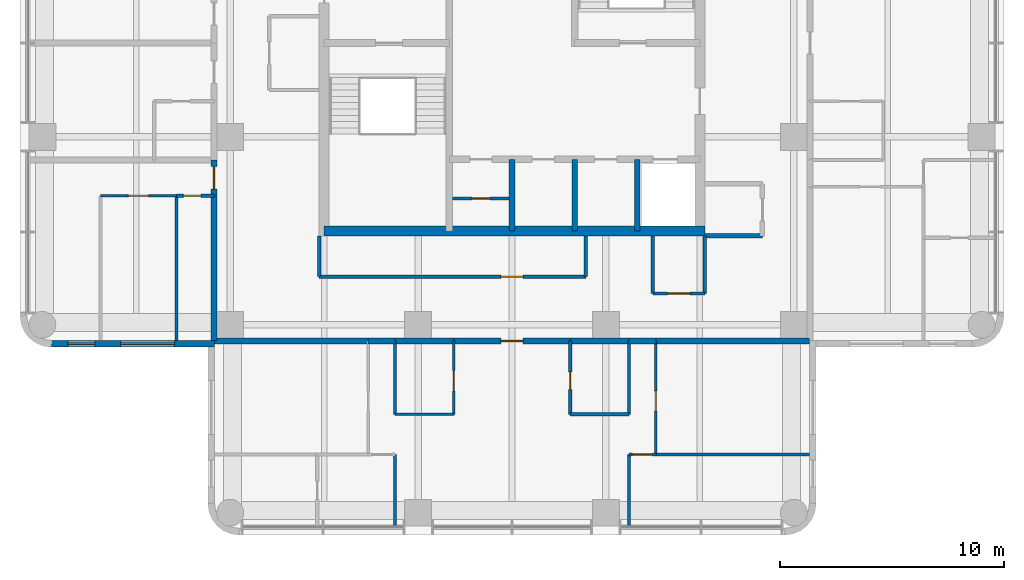
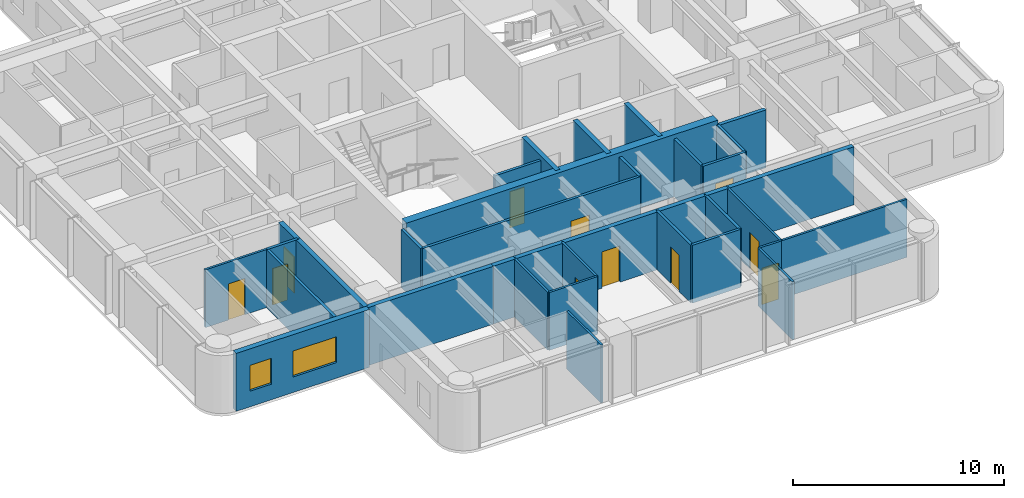
# One storey, part 4 of 10: 36 walls, 11 doors, 2 windows, 13 openings.
"""IFC4 building model written with IfcOpenShell, lengths in metres."""

from ifc_helpers import new_model, si_unit, direction, frame, frame_2d, origin, place, context, subcontext, project, spatial, rectangle, extrude, material, layer, layer_set, type_object, element, fill, save


model = new_model("IFC4")

# Units and contexts
model_context = context("Model", 3, precision=1e-05, world=origin(), true_north=direction((0.0, 1.0)))
body_context = subcontext(model_context, "Body", "Model", "MODEL_VIEW")
ifc_project = project(units=[si_unit("LENGTHUNIT", "METRE"), si_unit("AREAUNIT", "SQUARE_METRE"), si_unit("VOLUMEUNIT", "CUBIC_METRE"), si_unit("PLANEANGLEUNIT", "RADIAN"), si_unit("MASSUNIT", "GRAM", prefix="KILO")], contexts=[model_context])

# Site, building, storey
site_placement = place(None, origin())
site = spatial("IfcSite", under=ifc_project, at=site_placement, CompositionType="ELEMENT")
building_placement = place(site_placement, origin())
building = spatial("IfcBuilding", under=site, at=building_placement, Name="Torre Alcanfor", CompositionType="ELEMENT")
storey_placement = place(building_placement, frame((0.0, 0.0, 297.300048828125)))
storey = spatial("IfcBuildingStorey", under=building, at=storey_placement, Name="L78", CompositionType="ELEMENT", Elevation=297.300048828125)

# Wall, opening, door
ifc_material_1 = material(Name="Concrete block masonry, hollow blocks NMX-C-404 9 MPa", Category="masonry")
ifc_layer_1 = layer(ifc_material_1, 0.25)
ifc_layer_set_1 = layer_set([ifc_layer_1], Name="Apartment entrance wall 250 EI 60")
wall_type_1 = type_object("IfcWallType", Name="Apartment entrance wall 250 EI 60", PredefinedType="PARTITIONING", material=ifc_layer_set_1)
wall_1_placement = place(storey_placement, frame((32.0, 16.074951171875, 0.0), z_axis=(0.0, 0.0, 1.0), x_axis=(-1.0, 0.0, 0.0)))
wall_1 = element("IfcWall", 1, at=wall_1_placement, inside=storey, type_object=wall_type_1, Name="Partition L78-CORR / L78-SX-ZAG", PredefinedType="PARTITIONING", context=body_context, shape_type="SweptSolid", body=[
    extrude(rectangle(XDim=5.199951171875, YDim=0.25, at=frame_2d((2.60009765625, 0.0))), origin(), (0.0, 0.0, 1.0), 3.349853515625),
])
opening_1_placement = place(wall_1_placement, frame((2.10009765625, 0.0, 0.0)))
opening_1 = element("IfcOpeningElement", 2, at=opening_1_placement, cuts=wall_1, Name="Opening D-A1", PredefinedType="OPENING", context=body_context, shape_type="SweptSolid", body=[
    extrude(rectangle(XDim=1.0, YDim=2.10009765625, at=frame_2d((0.5, 1.050048828125))), frame((0.0, 0.135009765625, 0.0), z_axis=(0.0, -1.0, 0.0), x_axis=(1.0, 0.0, 0.0)), (0.0, 0.0, 1.0), 0.27001953125),
])
ifc_material_2 = material(Name="Galvanised steel sheet ASTM A653", Category="steel")
door_type_1 = type_object("IfcDoorType", Name="Apartment entrance door FD60 1000x2100", OperationType="SINGLE_SWING_LEFT", PredefinedType="DOOR", material=ifc_material_2)
door_1_placement = place(opening_1_placement, origin())
door_1 = element("IfcDoor", 3, at=door_1_placement, inside=storey, type_object=door_type_1, Name="Apartment entrance L78-SX", OperationType="SINGLE_SWING_LEFT", OverallHeight=2.10009765625, OverallWidth=1.0, PredefinedType="DOOR", context=body_context, shape_type="SweptSolid", body=[
    extrude(rectangle(XDim=1.0, YDim=2.10009765625, at=frame_2d((0.5, 1.050048828125))), frame((0.0, 0.02490234375, 0.0), z_axis=(0.0, -1.0, 0.0), x_axis=(1.0, 0.0, 0.0)), (0.0, 0.0, 1.0), 0.050048828125),
])
fill(opening_1, door_1)

# Walls
wall_2_placement = place(storey_placement, frame((34.62890625, 16.074951171875, 0.0), z_axis=(0.0, 0.0, 1.0), x_axis=(-1.0, 0.0, 0.0)))
element("IfcWall", 4, at=wall_2_placement, inside=storey, type_object=wall_type_1, Name="Partition L78-CORR / L78-SX-BATH2", PredefinedType="PARTITIONING", context=body_context, shape_type="SweptSolid", body=[
    extrude(rectangle(XDim=2.62890625, YDim=0.25, at=frame_2d((1.314453125, 0.0))), origin(), (0.0, 0.0, 1.0), 3.349853515625),
])
wall_3_placement = place(storey_placement, frame((26.800048828125, 16.074951171875, 0.0), z_axis=(0.0, 0.0, 1.0), x_axis=(-1.0, 0.0, 0.0)))
element("IfcWall", 5, at=wall_3_placement, inside=storey, type_object=wall_type_1, Name="Partition L78-CORR / L78-SX-KITCHEN", PredefinedType="PARTITIONING", context=body_context, shape_type="SweptSolid", body=[
    extrude(rectangle(XDim=2.629150390625, YDim=0.25, at=frame_2d((1.314453125, 0.0))), origin(), (0.0, 0.0, 1.0), 3.349853515625),
])
wall_4_placement = place(storey_placement, frame((24.1708984375, 16.074951171875, 0.0), z_axis=(0.0, 0.0, 1.0), x_axis=(-1.0, 0.0, 0.0)))
element("IfcWall", 6, at=wall_4_placement, inside=storey, type_object=wall_type_1, Name="Partition L78-CORR / L78-SX-LIVING", PredefinedType="PARTITIONING", context=body_context, shape_type="SweptSolid", body=[
    extrude(rectangle(XDim=1.199951171875, YDim=0.25, at=frame_2d((0.60009765625, 0.0))), origin(), (0.0, 0.0, 1.0), 3.349853515625),
])
wall_5_placement = place(storey_placement, frame((35.8291015625, 16.074951171875, 0.0), z_axis=(0.0, 0.0, 1.0), x_axis=(-1.0, 0.0, 0.0)))
element("IfcWall", 7, at=wall_5_placement, inside=storey, type_object=wall_type_1, Name="Partition L78-CORR / L78-SX-LIVING", PredefinedType="PARTITIONING", context=body_context, shape_type="SweptSolid", body=[
    extrude(rectangle(XDim=1.2001953125, YDim=0.25, at=frame_2d((0.60009765625, 0.0))), origin(), (0.0, 0.0, 1.0), 3.349853515625),
])
for number, where, z_axis, x_axis, name in (
    (8, (42.699951171875, 16.074951171875, 0.0), (0.0, 0.0, 1.0), (-1.0, 0.0, 0.0), "Partition L78-CORR / L78-SX-BED2"),
    (9, (22.970947265625, 16.074951171875, 0.0), (0.0, 0.0, 1.0), (-1.0, 0.0, 0.0), "Partition L78-CORR / L78-SX-BED3"),
):
    element("IfcWall", number, at=place(storey_placement, frame(where, z_axis=z_axis, x_axis=x_axis)), inside=storey, type_object=wall_type_1, Name=name, PredefinedType="PARTITIONING", context=body_context, shape_type="SweptSolid", body=[
        extrude(rectangle(XDim=6.870849609375, YDim=0.25, at=frame_2d((3.435546875, 0.0))), origin(), (0.0, 0.0, 1.0), 3.349853515625),
    ])

# Wall, opening, door
wall_6_placement = place(storey_placement, frame((16.074951171875, 22.571044921875, 0.0), z_axis=(0.0, 0.0, 1.0), x_axis=(0.0, 1.0, 0.0)))
wall_6 = element("IfcWall", 10, at=wall_6_placement, inside=storey, type_object=wall_type_1, Name="Partition L78-CORR / L78-W1B-LIVING", PredefinedType="PARTITIONING", context=body_context, shape_type="SweptSolid", body=[
    extrude(rectangle(XDim=1.599853515625, YDim=0.25, at=frame_2d((0.7998046875, 0.0))), origin(), (0.0, 0.0, 1.0), 3.349853515625),
])
opening_2_placement = place(wall_6_placement, frame((0.300048828125, 0.0, 0.0)))
opening_2 = element("IfcOpeningElement", 11, at=opening_2_placement, cuts=wall_6, Name="Opening D-A1", PredefinedType="OPENING", context=body_context, shape_type="SweptSolid", body=[
    extrude(rectangle(XDim=1.0, YDim=2.10009765625, at=frame_2d((0.5, 1.050048828125))), frame((0.0, 0.135009765625, 0.0), z_axis=(0.0, -1.0, 0.0), x_axis=(1.0, 0.0, 0.0)), (0.0, 0.0, 1.0), 0.27001953125),
])
door_2_placement = place(opening_2_placement, origin())
door_2 = element("IfcDoor", 12, at=door_2_placement, inside=storey, type_object=door_type_1, Name="Apartment entrance L78-W1B", OperationType="SINGLE_SWING_LEFT", OverallHeight=2.10009765625, OverallWidth=1.0, PredefinedType="DOOR", context=body_context, shape_type="SweptSolid", body=[
    extrude(rectangle(XDim=1.0, YDim=2.10009765625, at=frame_2d((0.5, 1.050048828125))), frame((0.0, 0.02490234375, 0.0), z_axis=(0.0, -1.0, 0.0), x_axis=(1.0, 0.0, 0.0)), (0.0, 0.0, 1.0), 0.050048828125),
])
fill(opening_2, door_2)

# Wall
wall_7_placement = place(storey_placement, frame((16.074951171875, 16.10009765625, 0.0), z_axis=(0.0, 0.0, 1.0), x_axis=(0.0, 1.0, 0.0)))
element("IfcWall", 13, at=wall_7_placement, inside=storey, type_object=wall_type_1, Name="Partition L78-CORR / L78-W1B-BATH", PredefinedType="PARTITIONING", context=body_context, shape_type="SweptSolid", body=[
    extrude(rectangle(XDim=6.470947265625, YDim=0.25, at=frame_2d((3.2353515625, 0.0))), origin(), (0.0, 0.0, 1.0), 3.349853515625),
])

# Wall, opening, door
ifc_material_3 = material(Name="Gypsum board on steel studs", Category="steel")
ifc_layer_2 = layer(ifc_material_3, 0.1201171875)
ifc_layer_set_2 = layer_set([ifc_layer_2], Name="Apartment partition 120")
wall_type_2 = type_object("IfcWallType", Name="Apartment partition 120", PredefinedType="PARTITIONING", material=ifc_layer_set_2)
wall_8_placement = place(storey_placement, frame((26.800048828125, 16.074951171875, 0.0), z_axis=(0.0, 0.0, 1.0), x_axis=(0.0, -1.0, 0.0)))
wall_8 = element("IfcWall", 14, at=wall_8_placement, inside=storey, type_object=wall_type_2, Name="Partition L78-SX-ZAG / L78-SX-KITCHEN", PredefinedType="PARTITIONING", context=body_context, shape_type="SweptSolid", body=[
    extrude(rectangle(XDim=3.27490234375, YDim=0.1201171875, at=frame_2d((1.637451171875, 0.0))), origin(), (0.0, 0.0, 1.0), 3.349853515625),
])
opening_3_placement = place(wall_8_placement, frame((1.324951171875, 0.0, 0.0)))
opening_3 = element("IfcOpeningElement", 15, at=opening_3_placement, cuts=wall_8, Name="Opening D-R1", PredefinedType="OPENING", context=body_context, shape_type="SweptSolid", body=[
    extrude(rectangle(XDim=0.89990234375, YDim=2.10009765625, at=frame_2d((0.449951171875, 1.050048828125))), frame((0.0, 0.070068359375, 0.0), z_axis=(0.0, -1.0, 0.0), x_axis=(1.0, 0.0, 0.0)), (0.0, 0.0, 1.0), 0.14013671875),
])
ifc_material_4 = material(Name="Timber", Category="wood")
door_type_2 = type_object("IfcDoorType", Name="Internal door 900x2100", OperationType="SINGLE_SWING_LEFT", PredefinedType="DOOR", material=ifc_material_4)
door_3_placement = place(opening_3_placement, frame((0.89990234375, 0.0, 0.0), z_axis=(0.0, 0.0, 1.0), x_axis=(-1.0, 0.0, 0.0)))
door_3 = element("IfcDoor", 16, at=door_3_placement, inside=storey, type_object=door_type_2, Name="Door L78-SX kitchen", OperationType="SINGLE_SWING_LEFT", OverallHeight=2.10009765625, OverallWidth=0.89990234375, PredefinedType="DOOR", context=body_context, shape_type="SweptSolid", body=[
    extrude(rectangle(XDim=0.89990234375, YDim=2.10009765625, at=frame_2d((0.449951171875, 1.050048828125))), frame((0.0, 0.025146484375, 0.0), z_axis=(0.0, -1.0, 0.0), x_axis=(1.0, 0.0, 0.0)), (0.0, 0.0, 1.0), 0.050048828125),
])
fill(opening_3, door_3)

# Walls
wall_9_placement = place(storey_placement, frame((24.1708984375, 16.074951171875, 0.0), z_axis=(0.0, 0.0, 1.0), x_axis=(0.0, -1.0, 0.0)))
element("IfcWall", 17, at=wall_9_placement, inside=storey, type_object=wall_type_2, Name="Partition L78-SX-KITCHEN / L78-SX-LIVING", PredefinedType="PARTITIONING", context=body_context, shape_type="SweptSolid", body=[
    extrude(rectangle(XDim=3.27490234375, YDim=0.1201171875, at=frame_2d((1.637451171875, 0.0))), origin(), (0.0, 0.0, 1.0), 3.349853515625),
])
wall_10_placement = place(storey_placement, frame((24.1708984375, 12.800048828125, 0.0), z_axis=(0.0, 0.0, 1.0), x_axis=(1.0, 0.0, 0.0)))
element("IfcWall", 18, at=wall_10_placement, inside=storey, type_object=wall_type_2, Name="Partition L78-SX-KITCHEN / L78-SX-LIVING", PredefinedType="PARTITIONING", context=body_context, shape_type="SweptSolid", body=[
    extrude(rectangle(XDim=2.629150390625, YDim=0.1201171875, at=frame_2d((1.314453125, 0.0))), origin(), (0.0, 0.0, 1.0), 3.349853515625),
])

# Wall, opening, door
wall_11_placement = place(storey_placement, frame((35.8291015625, 16.074951171875, 0.0), z_axis=(0.0, 0.0, 1.0), x_axis=(0.0, -1.0, 0.0)))
wall_11 = element("IfcWall", 19, at=wall_11_placement, inside=storey, type_object=wall_type_2, Name="Partition L78-SX-LIVING / L78-SX-BED2", PredefinedType="PARTITIONING", context=body_context, shape_type="SweptSolid", body=[
    extrude(rectangle(XDim=5.074951171875, YDim=0.1201171875, at=frame_2d((2.53759765625, 0.0))), origin(), (0.0, 0.0, 1.0), 3.349853515625),
])
opening_4_placement = place(wall_11_placement, frame((2.22509765625, 0.0, 0.0)))
opening_4 = element("IfcOpeningElement", 20, at=opening_4_placement, cuts=wall_11, Name="Opening D-R1", PredefinedType="OPENING", context=body_context, shape_type="SweptSolid", body=[
    extrude(rectangle(XDim=0.89990234375, YDim=2.10009765625, at=frame_2d((0.449951171875, 1.050048828125))), frame((0.0, 0.070068359375, 0.0), z_axis=(0.0, -1.0, 0.0), x_axis=(1.0, 0.0, 0.0)), (0.0, 0.0, 1.0), 0.14013671875),
])
door_4_placement = place(opening_4_placement, origin())
door_4 = element("IfcDoor", 21, at=door_4_placement, inside=storey, type_object=door_type_2, Name="Door L78-SX bed2", OperationType="SINGLE_SWING_RIGHT", OverallHeight=2.10009765625, OverallWidth=0.89990234375, PredefinedType="DOOR", context=body_context, shape_type="SweptSolid", body=[
    extrude(rectangle(XDim=0.89990234375, YDim=2.10009765625, at=frame_2d((0.449951171875, 1.050048828125))), frame((0.0, 0.02490234375, 0.0), z_axis=(0.0, -1.0, 0.0), x_axis=(1.0, 0.0, 0.0)), (0.0, 0.0, 1.0), 0.050048828125),
])
fill(opening_4, door_4)

wall_12_placement = place(storey_placement, frame((35.8291015625, 11.0, 0.0), z_axis=(0.0, 0.0, 1.0), x_axis=(-1.0, 0.0, 0.0)))
wall_12 = element("IfcWall", 22, at=wall_12_placement, inside=storey, type_object=wall_type_2, Name="Partition L78-SX-LIVING / L78-SX-MASTER", PredefinedType="PARTITIONING", context=body_context, shape_type="SweptSolid", body=[
    extrude(rectangle(XDim=1.2001953125, YDim=0.1201171875, at=frame_2d((0.60009765625, 0.0))), origin(), (0.0, 0.0, 1.0), 3.349853515625),
])
opening_5_placement = place(wall_12_placement, frame((0.14892578125, 0.0, 0.0)))
opening_5 = element("IfcOpeningElement", 23, at=opening_5_placement, cuts=wall_12, Name="Opening D-R1", PredefinedType="OPENING", context=body_context, shape_type="SweptSolid", body=[
    extrude(rectangle(XDim=0.89990234375, YDim=2.10009765625, at=frame_2d((0.449951171875, 1.050048828125))), frame((0.0, 0.070068359375, 0.0), z_axis=(0.0, -1.0, 0.0), x_axis=(1.0, 0.0, 0.0)), (0.0, 0.0, 1.0), 0.14013671875),
])
door_5_placement = place(opening_5_placement, origin())
door_5 = element("IfcDoor", 24, at=door_5_placement, inside=storey, type_object=door_type_2, Name="Door L78-SX master", OperationType="SINGLE_SWING_RIGHT", OverallHeight=2.10009765625, OverallWidth=0.89990234375, PredefinedType="DOOR", context=body_context, shape_type="SweptSolid", body=[
    extrude(rectangle(XDim=0.89990234375, YDim=2.10009765625, at=frame_2d((0.449951171875, 1.050048828125))), frame((0.0, 0.02490234375, 0.0), z_axis=(0.0, -1.0, 0.0), x_axis=(1.0, 0.0, 0.0)), (0.0, 0.0, 1.0), 0.050048828125),
])
fill(opening_5, door_5)

# Walls
for number, where, z_axis, x_axis, name in (
    (25, (34.62890625, 11.0, 0.0), (0.0, 0.0, 1.0), (0.0, -1.0, 0.0), "Partition L78-SX-LIVING / L78-SX-MASTER"),
    (26, (24.1708984375, 7.75, 0.0), (0.0, 0.0, 1.0), (0.0, 1.0, 0.0), "Partition L78-SX-LIVING / L78-SX-BED1"),
):
    element("IfcWall", number, at=place(storey_placement, frame(where, z_axis=z_axis, x_axis=x_axis)), inside=storey, type_object=wall_type_2, Name=name, PredefinedType="PARTITIONING", context=body_context, shape_type="SweptSolid", body=[
        extrude(rectangle(XDim=3.25, YDim=0.1201171875, at=frame_2d((1.625, 0.0))), origin(), (0.0, 0.0, 1.0), 3.349853515625),
    ])
wall_13_placement = place(storey_placement, frame((35.8291015625, 11.0, 0.0), z_axis=(0.0, 0.0, 1.0), x_axis=(1.0, 0.0, 0.0)))
element("IfcWall", 27, at=wall_13_placement, inside=storey, type_object=wall_type_2, Name="Partition L78-SX-BED2 / L78-SX-MASTER", PredefinedType="PARTITIONING", context=body_context, shape_type="SweptSolid", body=[
    extrude(rectangle(XDim=6.870849609375, YDim=0.1201171875, at=frame_2d((3.435546875, 0.0))), origin(), (0.0, 0.0, 1.0), 3.349853515625),
])

# Wall, opening, door
wall_14_placement = place(storey_placement, frame((14.39990234375, 22.571044921875, 0.0), z_axis=(0.0, 0.0, 1.0), x_axis=(-1.0, 0.0, 0.0)))
wall_14 = element("IfcWall", 28, at=wall_14_placement, inside=storey, type_object=wall_type_2, Name="Partition L78-W1B-LIVING / L78-W1B-MASTER", PredefinedType="PARTITIONING", context=body_context, shape_type="SweptSolid", body=[
    extrude(rectangle(XDim=3.39990234375, YDim=0.1201171875, at=frame_2d((1.699951171875, 0.0))), origin(), (0.0, 0.0, 1.0), 3.349853515625),
])
opening_6_placement = place(wall_14_placement, frame((1.25, 0.0, 0.0)))
opening_6 = element("IfcOpeningElement", 29, at=opening_6_placement, cuts=wall_14, Name="Opening D-R1", PredefinedType="OPENING", context=body_context, shape_type="SweptSolid", body=[
    extrude(rectangle(XDim=0.89990234375, YDim=2.10009765625, at=frame_2d((0.449951171875, 1.050048828125))), frame((0.0, 0.070068359375, 0.0), z_axis=(0.0, -1.0, 0.0), x_axis=(1.0, 0.0, 0.0)), (0.0, 0.0, 1.0), 0.14013671875),
])
door_6_placement = place(opening_6_placement, origin())
door_6 = element("IfcDoor", 30, at=door_6_placement, inside=storey, type_object=door_type_2, Name="Door L78-W1B master", OperationType="SINGLE_SWING_LEFT", OverallHeight=2.10009765625, OverallWidth=0.89990234375, PredefinedType="DOOR", context=body_context, shape_type="SweptSolid", body=[
    extrude(rectangle(XDim=0.89990234375, YDim=2.10009765625, at=frame_2d((0.449951171875, 1.050048828125))), frame((0.0, 0.02490234375, 0.0), z_axis=(0.0, -1.0, 0.0), x_axis=(1.0, 0.0, 0.0)), (0.0, 0.0, 1.0), 0.050048828125),
])
fill(opening_6, door_6)

# Walls
ifc_material_5 = material(Name="Concrete f'c 70 MPa", Category="concrete")
ifc_layer_3 = layer(ifc_material_5, 0.25)
ifc_layer_set_3 = layer_set([ifc_layer_3], Name="Core shaft wall 250 f'c70")
wall_type_3 = type_object("IfcWallType", Name="Core shaft wall 250 f'c70", PredefinedType="SHEAR", material=ifc_layer_set_3)
for number, where, z_axis, x_axis, name in (
    (31, (29.39990234375, 21.0, 0.0), (0.0, 0.0, 1.0), (0.0, 1.0, 0.0), "Core wall X294S L78"),
    (32, (32.199951171875, 21.0, 0.0), (0.0, 0.0, 1.0), (0.0, 1.0, 0.0), "Core wall X322S L78"),
    (33, (35.0, 21.0, 0.0), (0.0, 0.0, 1.0), (0.0, 1.0, 0.0), "Core wall X350S L78"),
):
    element("IfcWall", number, at=place(storey_placement, frame(where, z_axis=z_axis, x_axis=x_axis)), inside=storey, type_object=wall_type_3, Name=name, PredefinedType="SHEAR", context=body_context, shape_type="SweptSolid", body=[
        extrude(rectangle(XDim=3.199951171875, YDim=0.25, at=frame_2d((1.60009765625, 0.0))), origin(), (0.0, 0.0, 1.0), 3.599853515625),
    ])
ifc_material_6 = material(Name="Concrete f'c 70 MPa", Category="concrete")
ifc_layer_4 = layer(ifc_material_6, 0.449951171875)
ifc_layer_set_4 = layer_set([ifc_layer_4], Name="Core wall 450 f'c70")
wall_type_4 = type_object("IfcWallType", Name="Core wall 450 f'c70", PredefinedType="SHEAR", material=ifc_layer_set_4)
wall_15_placement = place(storey_placement, frame((21.0, 21.0, 0.0), z_axis=(0.0, 0.0, 1.0), x_axis=(1.0, 0.0, 0.0)))
element("IfcWall", 34, at=wall_15_placement, inside=storey, type_object=wall_type_4, Name="Core wall OUT-S L78", PredefinedType="SHEAR", context=body_context, shape_type="SweptSolid", body=[
    extrude(rectangle(XDim=17.02490234375, YDim=0.449951171875, at=frame_2d((8.512451171875, 0.0))), origin(), (0.0, 0.0, 1.0), 3.599853515625),
])

# Wall, openings, windows
ifc_material_7 = material(Name="Limestone cladding", Category="masonry")
ifc_layer_5 = layer(ifc_material_7, 0.0400390625, Name="Facing")
ifc_material_8 = material(Name="Ventilated air cavity")
ifc_layer_6 = layer(ifc_material_8, 0.02001953125, ventilated=True, Name="Ventilated joint")
ifc_material_9 = material(Name="Mineral wool insulation", Category="insulation")
ifc_layer_7 = layer(ifc_material_9, 0.10009765625, Name="Insulation")
ifc_material_10 = material(Name="Concrete f'c 35 MPa", Category="concrete")
ifc_layer_8 = layer(ifc_material_10, 0.139892578125, Name="Backing")
ifc_layer_set_5 = layer_set([ifc_layer_5, ifc_layer_6, ifc_layer_7, ifc_layer_8], Name="External wall stone-clad 300")
wall_type_5 = type_object("IfcWallType", Name="External wall stone-clad 300", PredefinedType="SOLIDWALL", material=ifc_layer_set_5)
wall_16_placement = place(storey_placement, frame((8.800048828125, 15.949951171875, 0.0), z_axis=(0.0, 0.0, 1.0), x_axis=(1.0, 0.0, 0.0)))
wall_16 = element("IfcWall", 35, at=wall_16_placement, inside=storey, type_object=wall_type_5, Name="External wall L78 3", PredefinedType="SOLIDWALL", context=body_context, shape_type="SweptSolid", body=[
    extrude(rectangle(XDim=7.300048828125, YDim=0.300048828125, at=frame_2d((3.64990234375, 0.0))), origin(), (0.0, 0.0, 1.0), 3.349853515625),
])
opening_7_placement = place(wall_16_placement, frame((3.10009765625, 0.0, 0.89990234375)))
opening_7 = element("IfcOpeningElement", 36, at=opening_7_placement, cuts=wall_16, Name="Opening W1", PredefinedType="OPENING", context=body_context, shape_type="SweptSolid", body=[
    extrude(rectangle(XDim=2.39990234375, YDim=1.5, at=frame_2d((1.199951171875, 0.75))), frame((0.0, 0.159912109375, 0.0), z_axis=(0.0, -1.0, 0.0), x_axis=(1.0, 0.0, 0.0)), (0.0, 0.0, 1.0), 0.320068359375),
])
opening_8_placement = place(wall_16_placement, frame((0.75, 0.0, 0.89990234375)))
opening_8 = element("IfcOpeningElement", 37, at=opening_8_placement, cuts=wall_16, Name="Opening W4", PredefinedType="OPENING", context=body_context, shape_type="SweptSolid", body=[
    extrude(rectangle(XDim=1.199951171875, YDim=1.5, at=frame_2d((0.60009765625, 0.75))), frame((0.0, 0.159912109375, 0.0), z_axis=(0.0, -1.0, 0.0), x_axis=(1.0, 0.0, 0.0)), (0.0, 0.0, 1.0), 0.320068359375),
])
ifc_material_11 = material(Name="Aluminium frame with clear double glazing", Category="aluminium")
window_type_1 = type_object("IfcWindowType", Name="Window bedroom 1200x1500", PartitioningType="SINGLE_PANEL", PredefinedType="WINDOW", material=ifc_material_11)
window_1_placement = place(opening_8_placement, origin())
window_1 = element("IfcWindow", 38, at=window_1_placement, inside=storey, type_object=window_type_1, Name="Window W4 L78-W1", OverallHeight=1.5, OverallWidth=1.199951171875, PartitioningType="SINGLE_PANEL", PredefinedType="WINDOW", context=body_context, shape_type="SweptSolid", body=[
    extrude(rectangle(XDim=1.199951171875, YDim=1.5, at=frame_2d((0.60009765625, 0.75))), frame((0.0, 0.030029296875, 0.0), z_axis=(0.0, -1.0, 0.0), x_axis=(1.0, 0.0, 0.0)), (0.0, 0.0, 1.0), 0.06005859375),
])
fill(opening_8, window_1)
ifc_material_12 = material(Name="Aluminium frame with clear double glazing", Category="aluminium")
window_type_2 = type_object("IfcWindowType", Name="Window bedroom 2400x1500", PartitioningType="SINGLE_PANEL", PredefinedType="WINDOW", material=ifc_material_12)
window_2_placement = place(opening_7_placement, origin())
window_2 = element("IfcWindow", 39, at=window_2_placement, inside=storey, type_object=window_type_2, Name="Window W1 L78-W1", OverallHeight=1.5, OverallWidth=2.39990234375, PartitioningType="SINGLE_PANEL", PredefinedType="WINDOW", context=body_context, shape_type="SweptSolid", body=[
    extrude(rectangle(XDim=2.39990234375, YDim=1.5, at=frame_2d((1.199951171875, 0.75))), frame((0.0, 0.030029296875, 0.0), z_axis=(0.0, -1.0, 0.0), x_axis=(1.0, 0.0, 0.0)), (0.0, 0.0, 1.0), 0.06005859375),
])
fill(opening_7, window_2)

# Walls
ifc_material_13 = material(Name="Concrete block masonry, hollow blocks NMX-C-404 9 MPa", Category="masonry")
ifc_layer_9 = layer(ifc_material_13, 0.199951171875)
ifc_layer_set_6 = layer_set([ifc_layer_9], Name="Plant room wall 200 EI 60")
wall_type_6 = type_object("IfcWallType", Name="Plant room wall 200 EI 60", PredefinedType="PARTITIONING", material=ifc_layer_set_6)
wall_17_placement = place(storey_placement, frame((38.02490234375, 20.77490234375, 0.0), z_axis=(0.0, 0.0, 1.0), x_axis=(1.0, 0.0, 0.0)))
element("IfcWall", 40, at=wall_17_placement, inside=storey, type_object=wall_type_6, Name="Partition L78-CORR / L78-G03", PredefinedType="PARTITIONING", context=body_context, shape_type="SweptSolid", body=[
    extrude(rectangle(XDim=2.5751953125, YDim=0.199951171875, at=frame_2d((1.28759765625, 0.0))), origin(), (0.0, 0.0, 1.0), 3.349853515625),
])
ifc_material_14 = material(Name="Concrete block masonry, hollow blocks NMX-C-404 9 MPa", Category="masonry")
ifc_layer_10 = layer(ifc_material_14, 0.14990234375)
ifc_layer_set_7 = layer_set([ifc_layer_10], Name="Residents' room partition 150")
wall_type_7 = type_object("IfcWallType", Name="Residents' room partition 150", PredefinedType="PARTITIONING", material=ifc_layer_set_7)
wall_18_placement = place(storey_placement, frame((20.77490234375, 20.77490234375, 0.0), z_axis=(0.0, 0.0, 1.0), x_axis=(0.0, -1.0, 0.0)))
element("IfcWall", 41, at=wall_18_placement, inside=storey, type_object=wall_type_7, Name="Partition L78-CORR / L78-G05", PredefinedType="PARTITIONING", context=body_context, shape_type="SweptSolid", body=[
    extrude(rectangle(XDim=1.824951171875, YDim=0.14990234375, at=frame_2d((0.91259765625, 0.0))), origin(), (0.0, 0.0, 1.0), 3.349853515625),
])

# Wall, opening, door
wall_19_placement = place(storey_placement, frame((20.77490234375, 18.949951171875, 0.0), z_axis=(0.0, 0.0, 1.0), x_axis=(1.0, 0.0, 0.0)))
wall_19 = element("IfcWall", 42, at=wall_19_placement, inside=storey, type_object=wall_type_7, Name="Partition L78-CORR / L78-G05", PredefinedType="PARTITIONING", context=body_context, shape_type="SweptSolid", body=[
    extrude(rectangle(XDim=11.925048828125, YDim=0.14990234375, at=frame_2d((5.96240234375, 0.0))), origin(), (0.0, 0.0, 1.0), 3.349853515625),
])
opening_9_placement = place(wall_19_placement, frame((8.125, 0.0, 0.0)))
opening_9 = element("IfcOpeningElement", 43, at=opening_9_placement, cuts=wall_19, Name="Opening D-M1", PredefinedType="OPENING", context=body_context, shape_type="SweptSolid", body=[
    extrude(rectangle(XDim=1.0, YDim=2.10009765625, at=frame_2d((0.5, 1.050048828125))), frame((0.0, 0.0849609375, 0.0), z_axis=(0.0, -1.0, 0.0), x_axis=(1.0, 0.0, 0.0)), (0.0, 0.0, 1.0), 0.169921875),
])
ifc_material_15 = material(Name="Timber", Category="wood")
door_type_3 = type_object("IfcDoorType", Name="Residents' room door 1000x2100", OperationType="SINGLE_SWING_LEFT", PredefinedType="DOOR", material=ifc_material_15)
door_7_placement = place(opening_9_placement, origin())
door_7 = element("IfcDoor", 44, at=door_7_placement, inside=storey, type_object=door_type_3, Name="Door L78-G05 residents' study", OperationType="SINGLE_SWING_RIGHT", OverallHeight=2.10009765625, OverallWidth=1.0, PredefinedType="DOOR", context=body_context, shape_type="SweptSolid", body=[
    extrude(rectangle(XDim=1.0, YDim=2.10009765625, at=frame_2d((0.5, 1.050048828125))), frame((0.0, 0.02490234375, 0.0), z_axis=(0.0, -1.0, 0.0), x_axis=(1.0, 0.0, 0.0)), (0.0, 0.0, 1.0), 0.050048828125),
])
fill(opening_9, door_7)

# Walls
wall_20_placement = place(storey_placement, frame((32.699951171875, 18.949951171875, 0.0), z_axis=(0.0, 0.0, 1.0), x_axis=(0.0, 1.0, 0.0)))
element("IfcWall", 45, at=wall_20_placement, inside=storey, type_object=wall_type_7, Name="Partition L78-CORR / L78-G05", PredefinedType="PARTITIONING", context=body_context, shape_type="SweptSolid", body=[
    extrude(rectangle(XDim=1.824951171875, YDim=0.14990234375, at=frame_2d((0.91259765625, 0.0))), origin(), (0.0, 0.0, 1.0), 3.349853515625),
])
wall_21_placement = place(storey_placement, frame((35.699951171875, 20.77490234375, 0.0), z_axis=(0.0, 0.0, 1.0), x_axis=(0.0, -1.0, 0.0)))
element("IfcWall", 46, at=wall_21_placement, inside=storey, type_object=wall_type_7, Name="Partition L78-CORR / L78-G06", PredefinedType="PARTITIONING", context=body_context, shape_type="SweptSolid", body=[
    extrude(rectangle(XDim=2.574951171875, YDim=0.14990234375, at=frame_2d((1.28759765625, 0.0))), origin(), (0.0, 0.0, 1.0), 3.349853515625),
])

# Wall, opening, door
wall_22_placement = place(storey_placement, frame((35.699951171875, 18.199951171875, 0.0), z_axis=(0.0, 0.0, 1.0), x_axis=(1.0, 0.0, 0.0)))
wall_22 = element("IfcWall", 47, at=wall_22_placement, inside=storey, type_object=wall_type_7, Name="Partition L78-CORR / L78-G06", PredefinedType="PARTITIONING", context=body_context, shape_type="SweptSolid", body=[
    extrude(rectangle(XDim=2.324951171875, YDim=0.14990234375, at=frame_2d((1.16259765625, 0.0))), origin(), (0.0, 0.0, 1.0), 3.349853515625),
])
opening_10_placement = place(wall_22_placement, frame((0.66259765625, 0.0, 0.0)))
opening_10 = element("IfcOpeningElement", 48, at=opening_10_placement, cuts=wall_22, Name="Opening D-M1", PredefinedType="OPENING", context=body_context, shape_type="SweptSolid", body=[
    extrude(rectangle(XDim=1.0, YDim=2.10009765625, at=frame_2d((0.5, 1.050048828125))), frame((0.0, 0.0849609375, 0.0), z_axis=(0.0, -1.0, 0.0), x_axis=(1.0, 0.0, 0.0)), (0.0, 0.0, 1.0), 0.169921875),
])
door_8_placement = place(opening_10_placement, origin())
door_8 = element("IfcDoor", 49, at=door_8_placement, inside=storey, type_object=door_type_3, Name="Door L78-G06 cleaners' store", OperationType="SINGLE_SWING_LEFT", OverallHeight=2.10009765625, OverallWidth=1.0, PredefinedType="DOOR", context=body_context, shape_type="SweptSolid", body=[
    extrude(rectangle(XDim=1.0, YDim=2.10009765625, at=frame_2d((0.5, 1.050048828125))), frame((0.0, 0.02490234375, 0.0), z_axis=(0.0, -1.0, 0.0), x_axis=(1.0, 0.0, 0.0)), (0.0, 0.0, 1.0), 0.050048828125),
])
fill(opening_10, door_8)

# Wall
wall_23_placement = place(storey_placement, frame((38.02490234375, 18.199951171875, 0.0), z_axis=(0.0, 0.0, 1.0), x_axis=(0.0, 1.0, 0.0)))
element("IfcWall", 50, at=wall_23_placement, inside=storey, type_object=wall_type_7, Name="Partition L78-CORR / L78-G06", PredefinedType="PARTITIONING", context=body_context, shape_type="SweptSolid", body=[
    extrude(rectangle(XDim=2.574951171875, YDim=0.14990234375, at=frame_2d((1.28759765625, 0.0))), origin(), (0.0, 0.0, 1.0), 3.349853515625),
])

# Wall, opening, door
wall_24_placement = place(storey_placement, frame((26.75, 22.449951171875, 0.0), z_axis=(0.0, 0.0, 1.0), x_axis=(1.0, 0.0, 0.0)))
wall_24 = element("IfcWall", 51, at=wall_24_placement, inside=storey, type_object=wall_type_7, Name="Partition L78-PA1R / L78-PA1C", PredefinedType="PARTITIONING", context=body_context, shape_type="SweptSolid", body=[
    extrude(rectangle(XDim=2.52490234375, YDim=0.14990234375, at=frame_2d((1.262451171875, 0.0))), origin(), (0.0, 0.0, 1.0), 3.349853515625),
])
opening_11_placement = place(wall_24_placement, frame((0.862548828125, 0.0, 0.0)))
opening_11 = element("IfcOpeningElement", 52, at=opening_11_placement, cuts=wall_24, Name="Opening D-R2", PredefinedType="OPENING", context=body_context, shape_type="SweptSolid", body=[
    extrude(rectangle(XDim=0.800048828125, YDim=2.10009765625, at=frame_2d((0.39990234375, 1.050048828125))), frame((0.0, 0.0849609375, 0.0), z_axis=(0.0, -1.0, 0.0), x_axis=(1.0, 0.0, 0.0)), (0.0, 0.0, 1.0), 0.169921875),
])
ifc_material_16 = material(Name="Timber", Category="wood")
door_type_4 = type_object("IfcDoorType", Name="Bathroom door 800x2100", OperationType="SINGLE_SWING_LEFT", PredefinedType="DOOR", material=ifc_material_16)
door_9_placement = place(opening_11_placement, frame((0.800048828125, 0.0, 0.0), z_axis=(0.0, 0.0, 1.0), x_axis=(-1.0, 0.0, 0.0)))
door_9 = element("IfcDoor", 53, at=door_9_placement, inside=storey, type_object=door_type_4, Name="Battery and UPS cupboard door L78", OperationType="SINGLE_SWING_RIGHT", OverallHeight=2.10009765625, OverallWidth=0.800048828125, PredefinedType="DOOR", context=body_context, shape_type="SweptSolid", body=[
    extrude(rectangle(XDim=0.800048828125, YDim=2.10009765625, at=frame_2d((0.400146484375, 1.050048828125))), frame((0.0, 0.025146484375, 0.0), z_axis=(0.0, -1.0, 0.0), x_axis=(1.0, 0.0, 0.0)), (0.0, 0.0, 1.0), 0.050048828125),
])
fill(opening_11, door_9)

ifc_material_17 = material(Name="Cement board on steel studs", Category="steel")
ifc_layer_11 = layer(ifc_material_17, 0.14990234375)
ifc_layer_set_8 = layer_set([ifc_layer_11], Name="Wet area partition 150")
wall_type_8 = type_object("IfcWallType", Name="Wet area partition 150", PredefinedType="PARTITIONING", material=ifc_layer_set_8)
wall_25_placement = place(storey_placement, frame((32.0, 12.800048828125, 0.0), z_axis=(0.0, 0.0, 1.0), x_axis=(0.0, 1.0, 0.0)))
wall_25 = element("IfcWall", 54, at=wall_25_placement, inside=storey, type_object=wall_type_8, Name="Partition L78-SX-ZAG / L78-SX-BATH2", PredefinedType="PARTITIONING", context=body_context, shape_type="SweptSolid", body=[
    extrude(rectangle(XDim=3.27490234375, YDim=0.14990234375, at=frame_2d((1.637451171875, 0.0))), origin(), (0.0, 0.0, 1.0), 3.349853515625),
])
opening_12_placement = place(wall_25_placement, frame((1.10009765625, 0.0, 0.0)))
opening_12 = element("IfcOpeningElement", 55, at=opening_12_placement, cuts=wall_25, Name="Opening D-R2", PredefinedType="OPENING", context=body_context, shape_type="SweptSolid", body=[
    extrude(rectangle(XDim=0.800048828125, YDim=2.10009765625, at=frame_2d((0.39990234375, 1.050048828125))), frame((0.0, 0.0849609375, 0.0), z_axis=(0.0, -1.0, 0.0), x_axis=(1.0, 0.0, 0.0)), (0.0, 0.0, 1.0), 0.169921875),
])
door_10_placement = place(opening_12_placement, frame((0.800048828125, 0.0, 0.0), z_axis=(0.0, 0.0, 1.0), x_axis=(-1.0, 0.0, 0.0)))
door_10 = element("IfcDoor", 56, at=door_10_placement, inside=storey, type_object=door_type_4, Name="Door L78-SX bath2", OperationType="SINGLE_SWING_RIGHT", OverallHeight=2.10009765625, OverallWidth=0.800048828125, PredefinedType="DOOR", context=body_context, shape_type="SweptSolid", body=[
    extrude(rectangle(XDim=0.800048828125, YDim=2.10009765625, at=frame_2d((0.400146484375, 1.050048828125))), frame((0.0, 0.025146484375, 0.0), z_axis=(0.0, -1.0, 0.0), x_axis=(1.0, 0.0, 0.0)), (0.0, 0.0, 1.0), 0.050048828125),
])
fill(opening_12, door_10)

# Walls
wall_26_placement = place(storey_placement, frame((32.0, 12.800048828125, 0.0), z_axis=(0.0, 0.0, 1.0), x_axis=(1.0, 0.0, 0.0)))
element("IfcWall", 57, at=wall_26_placement, inside=storey, type_object=wall_type_8, Name="Partition L78-SX-BATH2 / L78-SX-LIVING", PredefinedType="PARTITIONING", context=body_context, shape_type="SweptSolid", body=[
    extrude(rectangle(XDim=2.62890625, YDim=0.14990234375, at=frame_2d((1.314453125, 0.0))), origin(), (0.0, 0.0, 1.0), 3.349853515625),
])
wall_27_placement = place(storey_placement, frame((34.62890625, 12.800048828125, 0.0), z_axis=(0.0, 0.0, 1.0), x_axis=(0.0, 1.0, 0.0)))
element("IfcWall", 58, at=wall_27_placement, inside=storey, type_object=wall_type_8, Name="Partition L78-SX-BATH2 / L78-SX-LIVING", PredefinedType="PARTITIONING", context=body_context, shape_type="SweptSolid", body=[
    extrude(rectangle(XDim=3.27490234375, YDim=0.14990234375, at=frame_2d((1.637451171875, 0.0))), origin(), (0.0, 0.0, 1.0), 3.349853515625),
])

# Wall, opening, door
wall_28_placement = place(storey_placement, frame((16.074951171875, 22.571044921875, 0.0), z_axis=(0.0, 0.0, 1.0), x_axis=(-1.0, 0.0, 0.0)))
wall_28 = element("IfcWall", 59, at=wall_28_placement, inside=storey, type_object=wall_type_8, Name="Partition L78-W1B-LIVING / L78-W1B-BATH", PredefinedType="PARTITIONING", context=body_context, shape_type="SweptSolid", body=[
    extrude(rectangle(XDim=1.675048828125, YDim=0.14990234375, at=frame_2d((0.83740234375, 0.0))), origin(), (0.0, 0.0, 1.0), 3.349853515625),
])
opening_13_placement = place(wall_28_placement, frame((0.574951171875, 0.0, 0.0)))
opening_13 = element("IfcOpeningElement", 60, at=opening_13_placement, cuts=wall_28, Name="Opening D-R2", PredefinedType="OPENING", context=body_context, shape_type="SweptSolid", body=[
    extrude(rectangle(XDim=0.800048828125, YDim=2.10009765625, at=frame_2d((0.39990234375, 1.050048828125))), frame((0.0, 0.0849609375, 0.0), z_axis=(0.0, -1.0, 0.0), x_axis=(1.0, 0.0, 0.0)), (0.0, 0.0, 1.0), 0.169921875),
])
door_11_placement = place(opening_13_placement, origin())
door_11 = element("IfcDoor", 61, at=door_11_placement, inside=storey, type_object=door_type_4, Name="Door L78-W1B bath", OperationType="SINGLE_SWING_RIGHT", OverallHeight=2.10009765625, OverallWidth=0.800048828125, PredefinedType="DOOR", context=body_context, shape_type="SweptSolid", body=[
    extrude(rectangle(XDim=0.800048828125, YDim=2.10009765625, at=frame_2d((0.39990234375, 1.050048828125))), frame((0.0, 0.02490234375, 0.0), z_axis=(0.0, -1.0, 0.0), x_axis=(1.0, 0.0, 0.0)), (0.0, 0.0, 1.0), 0.050048828125),
])
fill(opening_13, door_11)

# Wall
wall_29_placement = place(storey_placement, frame((14.39990234375, 22.571044921875, 0.0), z_axis=(0.0, 0.0, 1.0), x_axis=(0.0, -1.0, 0.0)))
element("IfcWall", 62, at=wall_29_placement, inside=storey, type_object=wall_type_8, Name="Partition L78-W1B-BATH / L78-W1B-MASTER", PredefinedType="PARTITIONING", context=body_context, shape_type="SweptSolid", body=[
    extrude(rectangle(XDim=6.470947265625, YDim=0.14990234375, at=frame_2d((3.2353515625, 0.0))), origin(), (0.0, 0.0, 1.0), 3.349853515625),
])

save(model, "model.ifc")
